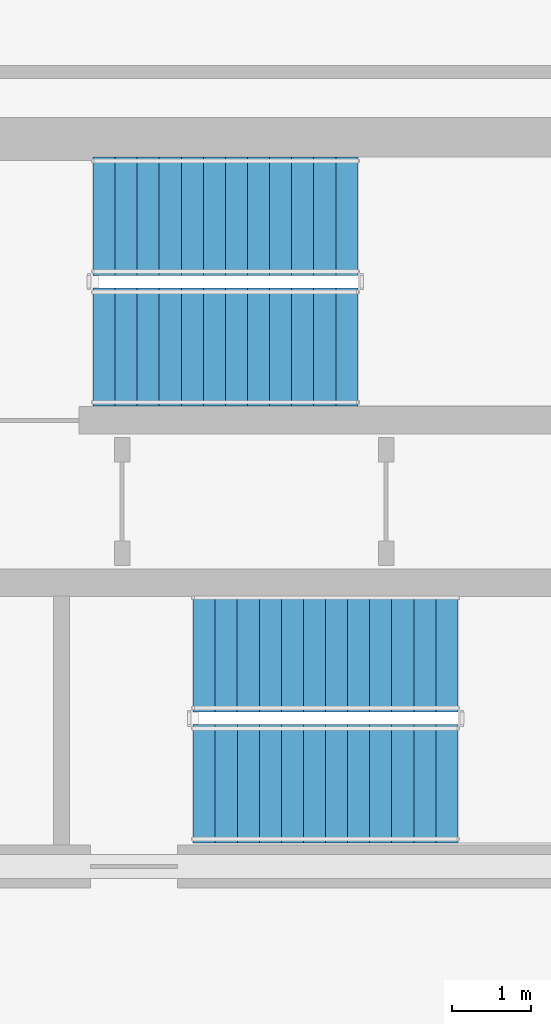
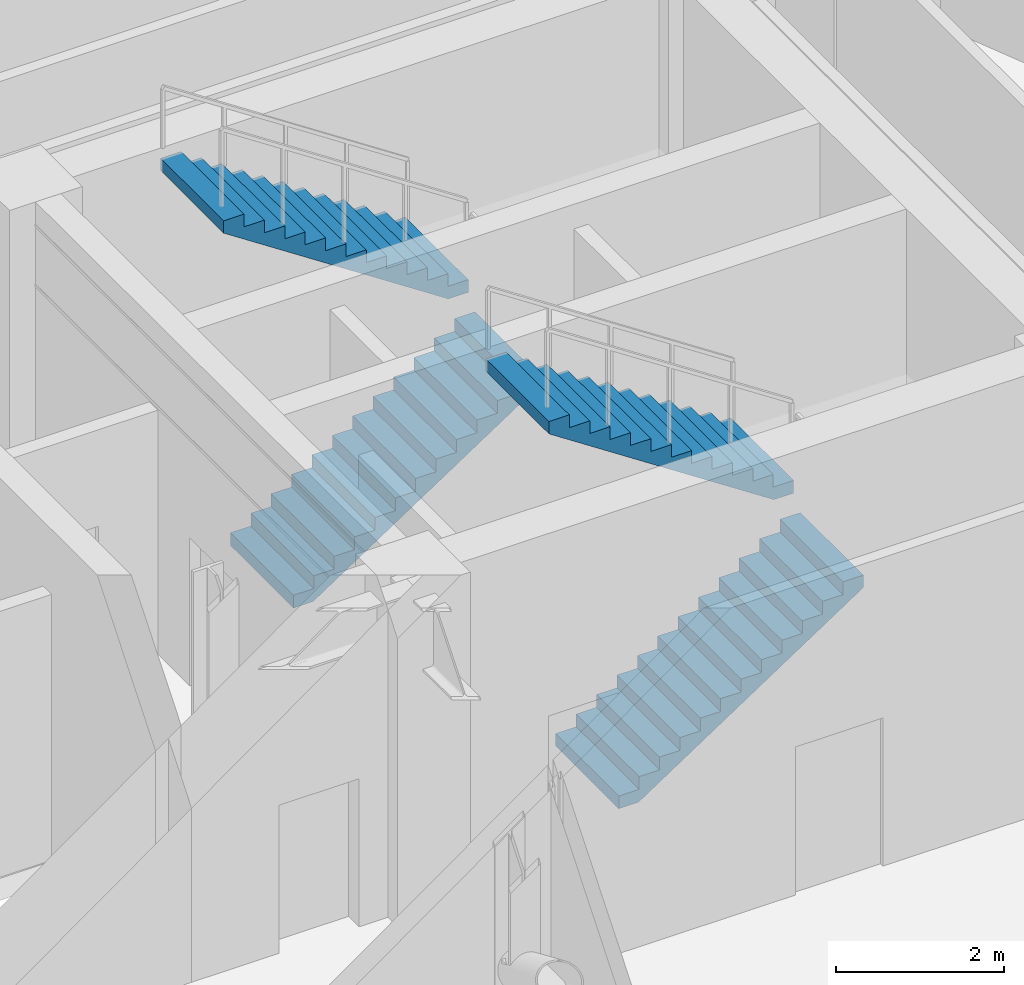
# One storey, part 9 of 12: 4 stair flights, 2 elements without a shape of their own.
"""IFC4 building model written with IfcOpenShell, lengths in metres."""

from ifc_helpers import new_model, si_unit, direction, frame, origin, place, context, subcontext, project, spatial, polyline, outline, extrude, material, layer, layer_set, type_object, element, aggregate, save


model = new_model("IFC4")

# Units and contexts
model_context = context("Model", 3, precision=1e-05, world=origin(), true_north=direction((0.0, 1.0)))
body_context = subcontext(model_context, "Body", "Model", "MODEL_VIEW")
ifc_project = project(units=[si_unit("LENGTHUNIT", "METRE"), si_unit("AREAUNIT", "SQUARE_METRE"), si_unit("VOLUMEUNIT", "CUBIC_METRE"), si_unit("PLANEANGLEUNIT", "RADIAN"), si_unit("MASSUNIT", "GRAM", prefix="KILO")], contexts=[model_context])

# Site, building, storey
site_placement = place(None, origin())
site = spatial("IfcSite", under=ifc_project, at=site_placement, CompositionType="ELEMENT")
building_placement = place(site_placement, origin())
building = spatial("IfcBuilding", under=site, at=building_placement, Name="Zarnavel Station Tower", CompositionType="ELEMENT")
storey_placement = place(building_placement, frame((0.0, 0.0, 188.39990234375)))
storey = spatial("IfcBuildingStorey", under=building, at=storey_placement, Name="L51", CompositionType="ELEMENT", Elevation=188.39990234375)

# Stair, stair flights
ifc_material_1 = material(Name="Concrete C45/55", Category="concrete")
stair_type = type_object("IfcStairType", Name="ST_CORE_150", PredefinedType="HALF_TURN_STAIR", material=ifc_material_1)
stair_1_placement = place(storey_placement, origin())
stair_1 = element("IfcStair", 1, at=stair_1_placement, inside=storey, type_object=stair_type, Name="L51 Core Exit Stair ST2", PredefinedType="HALF_TURN_STAIR")
ifc_material_2 = material(Name="Concrete C45/55", Category="concrete")
ifc_layer = layer(ifc_material_2, 0.179931640625)
ifc_layer_set = layer_set([ifc_layer], Name="ST_CORE_150_FLT")
stair_flight_type = type_object("IfcStairFlightType", Name="ST_CORE_150_FLT", PredefinedType="STRAIGHT", material=ifc_layer_set)
stair_flight_1_placement = place(storey_placement, frame((38.080078125, 34.409912109375, 0.0), z_axis=(0.0, 0.0, 1.0), x_axis=(1.0, 0.0, 0.0)))
stair_flight_1 = element("IfcStairFlight", 2, at=stair_flight_1_placement, type_object=stair_flight_type, Name="ST2 flight 1", NumberOfRisers=13, NumberOfTreads=12, PredefinedType="STRAIGHT", RiserHeight=0.184615385, TreadLength=0.28, context=body_context, shape_type="SweptSolid", body=[
    extrude(outline(polyline([(0.0, 0.0), (0.0, 0.1845703125), (0.280029296875, 0.1845703125), (0.280029296875, 0.369140625), (0.56005859375, 0.369140625), (0.56005859375, 0.553955078125), (0.840087890625, 0.553955078125), (0.840087890625, 0.738525390625), (1.1201171875, 0.738525390625), (1.1201171875, 0.923095703125), (1.39990234375, 0.923095703125), (1.39990234375, 1.107666015625), (1.679931640625, 1.107666015625), (1.679931640625, 1.292236328125), (1.9599609375, 1.292236328125), (1.9599609375, 1.476806640625), (2.239990234375, 1.476806640625), (2.239990234375, 1.66162109375), (2.52001953125, 1.66162109375), (2.52001953125, 1.84619140625), (2.800048828125, 1.84619140625), (2.800048828125, 2.03076171875), (3.080078125, 2.03076171875), (3.080078125, 2.21533203125), (3.360107421875, 2.21533203125), (3.360107421875, 2.39990234375), (3.360107421875, 2.035888671875), (0.272216796875, 0.0), (0.0, 0.0)])), frame((0.0, 0.75, 0.0), z_axis=(0.0, -1.0, 0.0), x_axis=(1.0, 0.0, 0.0)), (0.0, 0.0, 1.0), 1.5),
])
stair_flight_2_placement = place(storey_placement, frame((41.43994140625, 36.070068359375, 2.400146484375), z_axis=(0.0, 0.0, 1.0), x_axis=(-1.0, 0.0, 0.0)))
stair_flight_2 = element("IfcStairFlight", 3, at=stair_flight_2_placement, type_object=stair_flight_type, Name="ST2 flight 2", NumberOfRisers=13, NumberOfTreads=12, PredefinedType="STRAIGHT", RiserHeight=0.184615385, TreadLength=0.28, context=body_context, shape_type="SweptSolid", body=[
    extrude(outline(polyline([(0.0, 0.0), (0.0, 0.1845703125), (0.280029296875, 0.1845703125), (0.280029296875, 0.369140625), (0.56005859375, 0.369140625), (0.56005859375, 0.553955078125), (0.840087890625, 0.553955078125), (0.840087890625, 0.738525390625), (1.1201171875, 0.738525390625), (1.1201171875, 0.923095703125), (1.39990234375, 0.923095703125), (1.39990234375, 1.107666015625), (1.679931640625, 1.107666015625), (1.679931640625, 1.292236328125), (1.9599609375, 1.292236328125), (1.9599609375, 1.476806640625), (2.239990234375, 1.476806640625), (2.239990234375, 1.66162109375), (2.52001953125, 1.66162109375), (2.52001953125, 1.84619140625), (2.800048828125, 1.84619140625), (2.800048828125, 2.03076171875), (3.080078125, 2.03076171875), (3.080078125, 2.21533203125), (3.360107421875, 2.21533203125), (3.360107421875, 2.39990234375), (3.360107421875, 2.035888671875), (0.272216796875, 0.0), (0.0, 0.0)])), frame((0.0, 0.75, 0.0), z_axis=(0.0, -1.0, 0.0), x_axis=(1.0, 0.0, 0.0)), (0.0, 0.0, 1.0), 1.5),
])
aggregate(stair_1, [stair_flight_1, stair_flight_2])

stair_2_placement = place(storey_placement, origin())
stair_2 = element("IfcStair", 4, at=stair_2_placement, inside=storey, type_object=stair_type, Name="L51 Core Exit Stair ST3", PredefinedType="HALF_TURN_STAIR")
stair_flight_3_placement = place(storey_placement, frame((39.35009765625, 28.8701171875, 0.0), z_axis=(0.0, 0.0, 1.0), x_axis=(1.0, 0.0, 0.0)))
stair_flight_3 = element("IfcStairFlight", 5, at=stair_flight_3_placement, type_object=stair_flight_type, Name="ST3 flight 1", NumberOfRisers=13, NumberOfTreads=12, PredefinedType="STRAIGHT", RiserHeight=0.184615385, TreadLength=0.28, context=body_context, shape_type="SweptSolid", body=[
    extrude(outline(polyline([(0.0, 0.0), (0.0, 0.1845703125), (0.280029296875, 0.1845703125), (0.280029296875, 0.369140625), (0.56005859375, 0.369140625), (0.56005859375, 0.553955078125), (0.840087890625, 0.553955078125), (0.840087890625, 0.738525390625), (1.1201171875, 0.738525390625), (1.1201171875, 0.923095703125), (1.39990234375, 0.923095703125), (1.39990234375, 1.107666015625), (1.679931640625, 1.107666015625), (1.679931640625, 1.292236328125), (1.9599609375, 1.292236328125), (1.9599609375, 1.476806640625), (2.239990234375, 1.476806640625), (2.239990234375, 1.66162109375), (2.52001953125, 1.66162109375), (2.52001953125, 1.84619140625), (2.800048828125, 1.84619140625), (2.800048828125, 2.03076171875), (3.080078125, 2.03076171875), (3.080078125, 2.21533203125), (3.360107421875, 2.21533203125), (3.360107421875, 2.39990234375), (3.360107421875, 2.035888671875), (0.272216796875, 0.0), (0.0, 0.0)])), frame((0.0, 0.75, 0.0), z_axis=(0.0, -1.0, 0.0), x_axis=(1.0, 0.0, 0.0)), (0.0, 0.0, 1.0), 1.5),
])
stair_flight_4_placement = place(storey_placement, frame((42.7099609375, 30.530029296875, 2.400146484375), z_axis=(0.0, 0.0, 1.0), x_axis=(-1.0, 0.0, 0.0)))
stair_flight_4 = element("IfcStairFlight", 6, at=stair_flight_4_placement, type_object=stair_flight_type, Name="ST3 flight 2", NumberOfRisers=13, NumberOfTreads=12, PredefinedType="STRAIGHT", RiserHeight=0.184615385, TreadLength=0.28, context=body_context, shape_type="SweptSolid", body=[
    extrude(outline(polyline([(0.0, 0.0), (0.0, 0.1845703125), (0.280029296875, 0.1845703125), (0.280029296875, 0.369140625), (0.56005859375, 0.369140625), (0.56005859375, 0.553955078125), (0.840087890625, 0.553955078125), (0.840087890625, 0.738525390625), (1.1201171875, 0.738525390625), (1.1201171875, 0.923095703125), (1.39990234375, 0.923095703125), (1.39990234375, 1.107666015625), (1.679931640625, 1.107666015625), (1.679931640625, 1.292236328125), (1.9599609375, 1.292236328125), (1.9599609375, 1.476806640625), (2.239990234375, 1.476806640625), (2.239990234375, 1.66162109375), (2.52001953125, 1.66162109375), (2.52001953125, 1.84619140625), (2.800048828125, 1.84619140625), (2.800048828125, 2.03076171875), (3.080078125, 2.03076171875), (3.080078125, 2.21533203125), (3.360107421875, 2.21533203125), (3.360107421875, 2.39990234375), (3.360107421875, 2.035888671875), (0.272216796875, 0.0), (0.0, 0.0)])), frame((0.0, 0.75, 0.0), z_axis=(0.0, -1.0, 0.0), x_axis=(1.0, 0.0, 0.0)), (0.0, 0.0, 1.0), 1.5),
])
aggregate(stair_2, [stair_flight_3, stair_flight_4])

save(model, "model.ifc")
